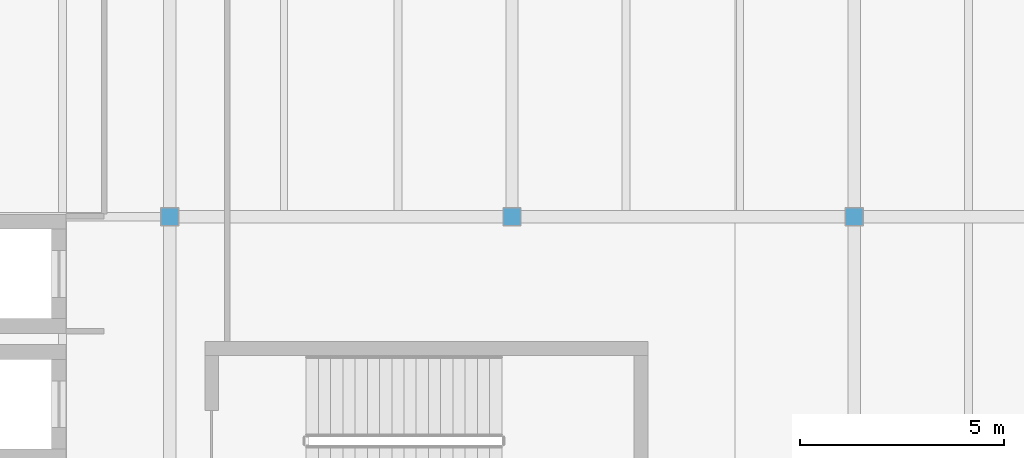
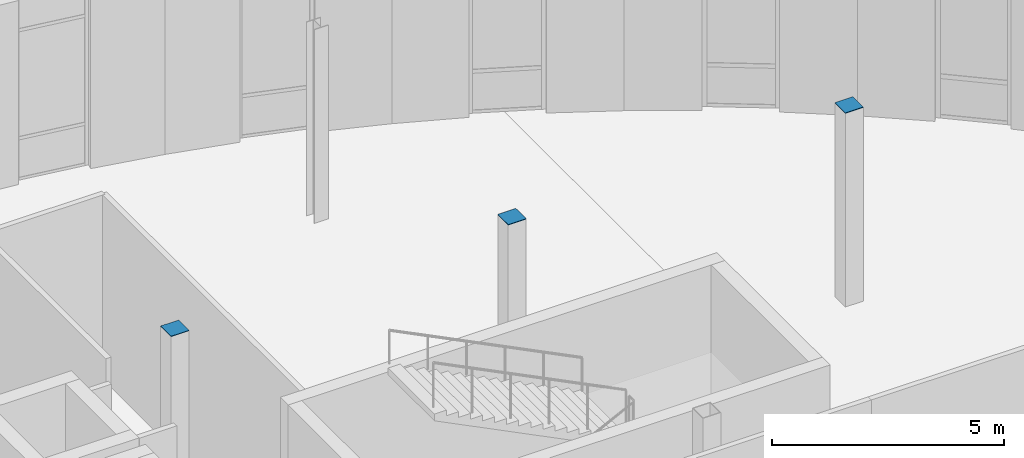
# One storey, part 47 of 57: 3 discrete accessories.
"""IFC4 building model written with IfcOpenShell, lengths in metres."""

from ifc_helpers import new_model, si_unit, direction, frame, origin, origin_2d, place, context, subcontext, project, spatial, rectangle, extrude, material, type_object, element, save


model = new_model("IFC4")

# Units and contexts
model_context = context("Model", 3, precision=1e-05, world=origin(), true_north=direction((0.0, 1.0)))
body_context = subcontext(model_context, "Body", "Model", "MODEL_VIEW")
ifc_project = project(units=[si_unit("LENGTHUNIT", "METRE"), si_unit("AREAUNIT", "SQUARE_METRE"), si_unit("VOLUMEUNIT", "CUBIC_METRE"), si_unit("PLANEANGLEUNIT", "RADIAN"), si_unit("MASSUNIT", "GRAM", prefix="KILO"), si_unit("THERMODYNAMICTEMPERATUREUNIT", "KELVIN")], contexts=[model_context])

# Site, building, storey
site_placement = place(None, origin())
site = spatial("IfcSite", under=ifc_project, at=site_placement, CompositionType="ELEMENT")
building_placement = place(site_placement, origin())
building = spatial("IfcBuilding", under=site, at=building_placement, Name="Lustrewick Department Store", CompositionType="ELEMENT")
storey_placement = place(building_placement, frame((0.0, 0.0, 26.699951171875)))
storey = spatial("IfcBuildingStorey", under=building, at=storey_placement, Name="L06", CompositionType="ELEMENT", Elevation=26.699951171875)

# Discrete accessories
ifc_material = material(Name="Structural steel Q355C", Category="steel")
discrete_accessory_type = type_object("IfcDiscreteAccessoryType", Name="ECP-01", PredefinedType="USERDEFINED", material=ifc_material)
for number, where, z_axis, x_axis, name in (
    (1, (117.60009765625, 84.0, 5.093994140625), (0.0, 0.0, 1.0), (1.0, 0.0, 0.0), "L06 Welded Hollow-Section End-Cap Plate ECP-01"),
    (2, (134.39990234375, 84.0, 5.093994140625), (0.0, 0.0, 1.0), (1.0, 0.0, 0.0), "L06 Welded Hollow-Section End-Cap Plate ECP-01"),
    (3, (126.0, 84.0, 5.093994140625), (0.0, 0.0, 1.0), (1.0, 0.0, 0.0), "L06 Welded Hollow-Section End-Cap Plate ECP-01"),
):
    element("IfcDiscreteAccessory", number, at=place(storey_placement, frame(where, z_axis=z_axis, x_axis=x_axis)), inside=storey, type_object=discrete_accessory_type, Name=name, ObjectType="END_CAP_PLATE", PredefinedType="USERDEFINED", context=body_context, shape_type="SweptSolid", body=[
        extrude(rectangle(XDim=0.449951171875, YDim=0.449951171875, at=origin_2d()), origin(), (0.0, 0.0, 1.0), 0.01611328125),
    ])

save(model, "model.ifc")
